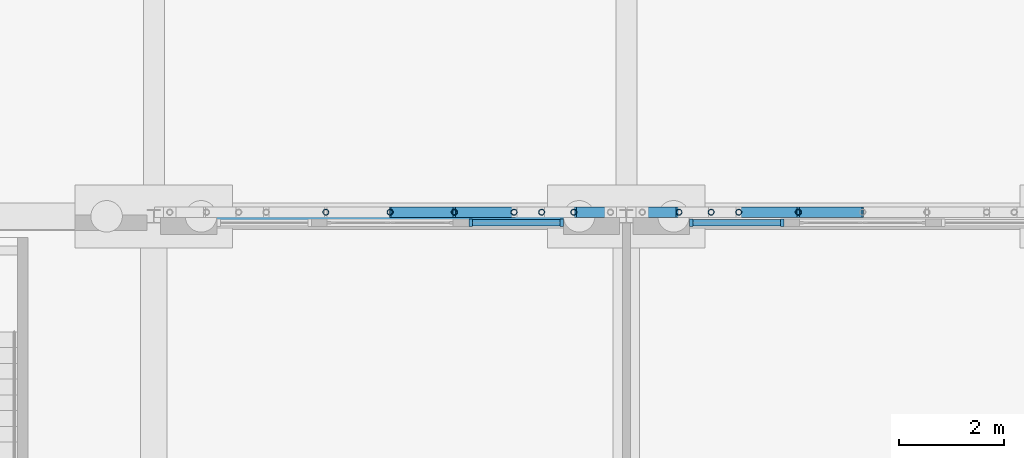
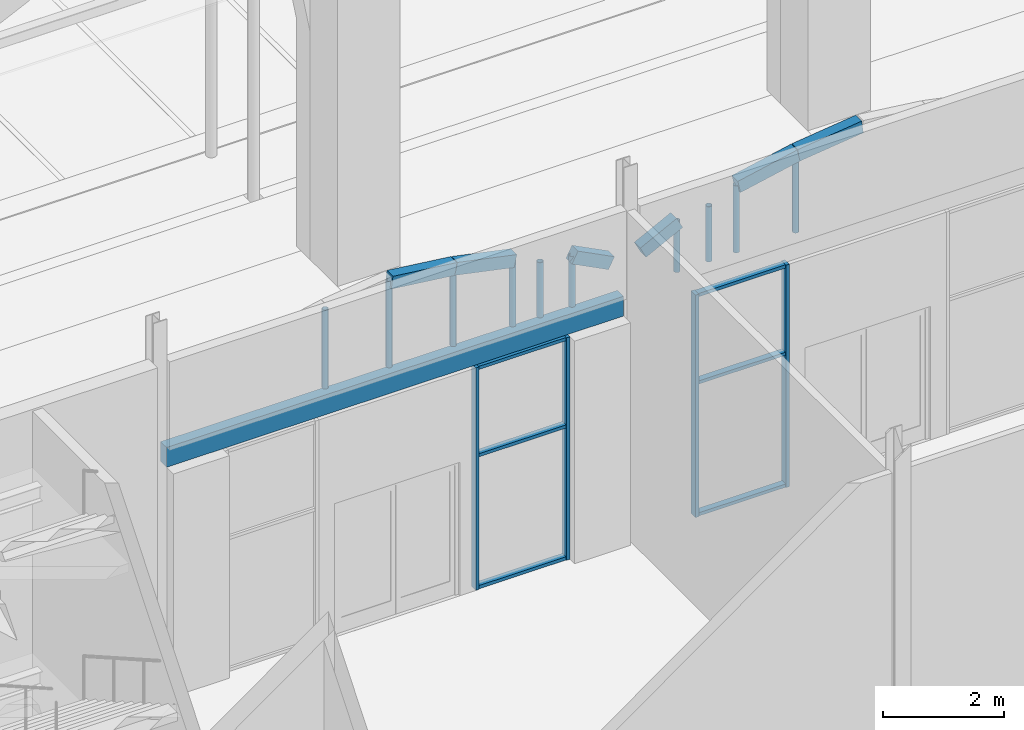
# One storey, part 57 of 250: 20 members, 7 beams, 2 elements without a shape of their own.
"""IFC4 building model written with IfcOpenShell, lengths in metres."""

from ifc_helpers import new_model, si_unit, direction, frame, origin, origin_2d, place, context, subcontext, project, spatial, rectangle, hollow_circle, extrude, material, material_profile, profile_set, type_object, element, aggregate, save


model = new_model("IFC4")

# Units and contexts
model_context = context("Model", 3, precision=1e-05, world=origin(), true_north=direction((0.0, 1.0)))
body_context = subcontext(model_context, "Body", "Model", "MODEL_VIEW")
ifc_project = project(units=[si_unit("LENGTHUNIT", "METRE"), si_unit("AREAUNIT", "SQUARE_METRE"), si_unit("VOLUMEUNIT", "CUBIC_METRE"), si_unit("PLANEANGLEUNIT", "RADIAN"), si_unit("MASSUNIT", "GRAM", prefix="KILO")], contexts=[model_context])

# Site, building, storey
site_placement = place(None, origin())
site = spatial("IfcSite", under=ifc_project, at=site_placement, CompositionType="ELEMENT")
building_placement = place(site_placement, origin())
building = spatial("IfcBuilding", under=site, at=building_placement, Name="Baradari Gate Terminus", CompositionType="ELEMENT")
storey_placement = place(building_placement, origin())
storey = spatial("IfcBuildingStorey", under=building, at=storey_placement, Name="L00", CompositionType="ELEMENT", Elevation=0.0)

# Members
ifc_material_1 = material(Name="Steel S355", Category="steel")
ifc_material_profile_1 = material_profile(ifc_material_1, hollow_circle(Radius=0.05712890625, WallThickness=0.00634765625, at=origin_2d()), Name="CHS 114.3x6.3")
ifc_profile_set_1 = profile_set([ifc_material_profile_1], Name="Steel S355")
member_type_1 = type_object("IfcMemberType", Name="Arcade arch post SP-2 114x6.3", PredefinedType="POST", material=ifc_profile_set_1)
member_1_placement = place(storey_placement, frame((192.27587890625, 108.07861328125, 4.89990234375), z_axis=(0.0, 0.0, 1.0), x_axis=(1.0, 0.0, 0.0)))
element("IfcMember", 1, at=member_1_placement, inside=storey, type_object=member_type_1, Name="Arcade arch post 21.6", PredefinedType="POST", context=body_context, shape_type="SweptSolid", body=[
    extrude(hollow_circle(Radius=0.05712890625, WallThickness=0.00634765625, at=origin_2d()), origin(), (0.0, 0.0, 1.0), 1.593017578125),
])
member_2_placement = place(storey_placement, frame((193.5, 108.07861328125, 4.89990234375), z_axis=(0.0, 0.0, 1.0), x_axis=(1.0, 0.0, 0.0)))
element("IfcMember", 2, at=member_2_placement, inside=storey, type_object=member_type_1, Name="Arcade arch post 21.7", PredefinedType="POST", context=body_context, shape_type="SweptSolid", body=[
    extrude(hollow_circle(Radius=0.05712890625, WallThickness=0.00634765625, at=origin_2d()), origin(), (0.0, 0.0, 1.0), 1.7421875),
])
member_3_placement = place(storey_placement, frame((194.72412109375, 108.07861328125, 4.89990234375), z_axis=(0.0, 0.0, 1.0), x_axis=(1.0, 0.0, 0.0)))
element("IfcMember", 3, at=member_3_placement, inside=storey, type_object=member_type_1, Name="Arcade arch post 21.8", PredefinedType="POST", context=body_context, shape_type="SweptSolid", body=[
    extrude(hollow_circle(Radius=0.05712890625, WallThickness=0.00634765625, at=origin_2d()), origin(), (0.0, 0.0, 1.0), 1.593017578125),
])
member_4_placement = place(storey_placement, frame((195.86083984375, 108.07861328125, 4.89990234375), z_axis=(0.0, 0.0, 1.0), x_axis=(1.0, 0.0, 0.0)))
element("IfcMember", 4, at=member_4_placement, inside=storey, type_object=member_type_1, Name="Arcade arch post 21.9", PredefinedType="POST", context=body_context, shape_type="SweptSolid", body=[
    extrude(hollow_circle(Radius=0.05712890625, WallThickness=0.00634765625, at=origin_2d()), origin(), (0.0, 0.0, 1.0), 1.354248046875),
])
member_5_placement = place(storey_placement, frame((196.385498046875, 108.07861328125, 4.89990234375), z_axis=(0.0, 0.0, 1.0), x_axis=(1.0, 0.0, 0.0)))
element("IfcMember", 5, at=member_5_placement, inside=storey, type_object=member_type_1, Name="Arcade arch post 21.10", PredefinedType="POST", context=body_context, shape_type="SweptSolid", body=[
    extrude(hollow_circle(Radius=0.05712890625, WallThickness=0.00634765625, at=origin_2d()), origin(), (0.0, 0.0, 1.0), 1.115478515625),
])
for number, where, z_axis, x_axis, name in (
    (6, (196.99755859375, 108.07861328125, 4.89990234375), (0.0, 0.0, 1.0), (1.0, 0.0, 0.0), "Arcade arch post 21.11"),
    (7, (199.00244140625, 108.07861328125, 4.89990234375), (0.0, 0.0, 1.0), (1.0, 0.0, 0.0), "Arcade arch post 22.3"),
):
    element("IfcMember", number, at=place(storey_placement, frame(where, z_axis=z_axis, x_axis=x_axis)), inside=storey, type_object=member_type_1, Name=name, PredefinedType="POST", context=body_context, shape_type="SweptSolid", body=[
        extrude(hollow_circle(Radius=0.05712890625, WallThickness=0.00634765625, at=origin_2d()), origin(), (0.0, 0.0, 1.0), 1.02587890625),
    ])
member_6_placement = place(storey_placement, frame((199.614501953125, 108.07861328125, 4.89990234375), z_axis=(0.0, 0.0, 1.0), x_axis=(1.0, 0.0, 0.0)))
element("IfcMember", 8, at=member_6_placement, inside=storey, type_object=member_type_1, Name="Arcade arch post 22.4", PredefinedType="POST", context=body_context, shape_type="SweptSolid", body=[
    extrude(hollow_circle(Radius=0.05712890625, WallThickness=0.00634765625, at=origin_2d()), origin(), (0.0, 0.0, 1.0), 1.115478515625),
])
member_7_placement = place(storey_placement, frame((200.13916015625, 108.07861328125, 4.89990234375), z_axis=(0.0, 0.0, 1.0), x_axis=(1.0, 0.0, 0.0)))
element("IfcMember", 9, at=member_7_placement, inside=storey, type_object=member_type_1, Name="Arcade arch post 22.5", PredefinedType="POST", context=body_context, shape_type="SweptSolid", body=[
    extrude(hollow_circle(Radius=0.05712890625, WallThickness=0.00634765625, at=origin_2d()), origin(), (0.0, 0.0, 1.0), 1.354248046875),
])
member_8_placement = place(storey_placement, frame((201.27587890625, 108.07861328125, 4.89990234375), z_axis=(0.0, 0.0, 1.0), x_axis=(1.0, 0.0, 0.0)))
element("IfcMember", 10, at=member_8_placement, inside=storey, type_object=member_type_1, Name="Arcade arch post 22.6", PredefinedType="POST", context=body_context, shape_type="SweptSolid", body=[
    extrude(hollow_circle(Radius=0.05712890625, WallThickness=0.00634765625, at=origin_2d()), origin(), (0.0, 0.0, 1.0), 1.593017578125),
])

# Beams
ifc_material_2 = material(Name="Concrete C40/50 precast", Category="concrete")
ifc_material_profile_2 = material_profile(ifc_material_2, rectangle(XDim=0.199951171875, YDim=0.25, at=origin_2d()), Name="AB-1 200X250")
ifc_profile_set_2 = profile_set([ifc_material_profile_2], Name="Concrete C40/50 precast")
beam_type_1 = type_object("IfcBeamType", Name="Arcade arch segment AB-1 200x250", PredefinedType="BEAM", material=ifc_profile_set_2)
beam_1_placement = place(storey_placement, frame((193.5, 108.07861328125, 6.64208984375), z_axis=(0.992656897947, 0.0, -0.120963973802), x_axis=(0.0, 1.0, 0.0)))
element("IfcBeam", 11, at=beam_1_placement, inside=storey, type_object=beam_type_1, Name="Arcade arch AB-1 bay 21 segment 7", PredefinedType="BEAM", context=body_context, shape_type="SweptSolid", body=[
    extrude(rectangle(XDim=0.199951171875, YDim=0.25, at=origin_2d()), origin(), (0.0, 0.0, 1.0), 1.233154296875),
])
beam_2_placement = place(storey_placement, frame((194.72412109375, 108.07861328125, 6.492919921875), z_axis=(0.978643349291, 0.0, -0.205565548885), x_axis=(0.0, 1.0, 0.0)))
element("IfcBeam", 12, at=beam_2_placement, inside=storey, type_object=beam_type_1, Name="Arcade arch AB-1 bay 21 segment 8", PredefinedType="BEAM", context=body_context, shape_type="SweptSolid", body=[
    extrude(rectangle(XDim=0.199951171875, YDim=0.25, at=origin_2d()), origin(), (0.0, 0.0, 1.0), 1.16162109375),
])
for number, where, z_axis, x_axis, name in (
    (13, (196.99755859375, 108.07861328125, 5.92578125), (0.89022472097, 0.0, -0.455521619875), (0.0, 1.0, 0.0), "Arcade arch AB-1 bay 21 segment 11"),
    (14, (198.302978515625, 108.07861328125, 5.56787109375), (0.89022472097, 0.0, 0.455521619875), (0.0, 1.0, 0.0), "Arcade arch AB-1 bay 22 segment 2"),
):
    element("IfcBeam", number, at=place(storey_placement, frame(where, z_axis=z_axis, x_axis=x_axis)), inside=storey, type_object=beam_type_1, Name=name, PredefinedType="BEAM", context=body_context, shape_type="SweptSolid", body=[
        extrude(rectangle(XDim=0.199951171875, YDim=0.25, at=origin_2d()), origin(), (0.0, 0.0, 1.0), 0.78564453125),
    ])
beam_3_placement = place(storey_placement, frame((200.13916015625, 108.07861328125, 6.254150390625), z_axis=(0.978643349291, 0.0, 0.205565548885), x_axis=(0.0, 1.0, 0.0)))
element("IfcBeam", 15, at=beam_3_placement, inside=storey, type_object=beam_type_1, Name="Arcade arch AB-1 bay 22 segment 5", PredefinedType="BEAM", context=body_context, shape_type="SweptSolid", body=[
    extrude(rectangle(XDim=0.199951171875, YDim=0.25, at=origin_2d()), origin(), (0.0, 0.0, 1.0), 1.16162109375),
])
beam_4_placement = place(storey_placement, frame((201.27587890625, 108.07861328125, 6.492919921875), z_axis=(0.992656897947, 0.0, 0.120963973802), x_axis=(0.0, 1.0, 0.0)))
element("IfcBeam", 16, at=beam_4_placement, inside=storey, type_object=beam_type_1, Name="Arcade arch AB-1 bay 22 segment 6", PredefinedType="BEAM", context=body_context, shape_type="SweptSolid", body=[
    extrude(rectangle(XDim=0.199951171875, YDim=0.25, at=origin_2d()), origin(), (0.0, 0.0, 1.0), 1.233154296875),
])
ifc_material_3 = material(Name="Concrete C50/60 precast", Category="concrete")
ifc_material_profile_3 = material_profile(ifc_material_3, rectangle(XDim=0.199951171875, YDim=0.39990234375, at=origin_2d()), Name="LB-1 200X400")
ifc_profile_set_3 = profile_set([ifc_material_profile_3], Name="Concrete C50/60 precast")
beam_type_2 = type_object("IfcBeamType", Name="Arcade lintel LB-1 200x400", PredefinedType="LINTEL", material=ifc_profile_set_3)
beam_5_placement = place(storey_placement, frame((189.128173828125, 107.978515625, 4.699951171875), z_axis=(1.0, 0.0, 0.0), x_axis=(0.0, 1.0, 0.0)))
element("IfcBeam", 17, at=beam_5_placement, inside=storey, type_object=beam_type_2, Name="Arcade lintel LB-1 bay 21", PredefinedType="LINTEL", context=body_context, shape_type="SweptSolid", body=[
    extrude(rectangle(XDim=0.199951171875, YDim=0.39990234375, at=origin_2d()), origin(), (0.0, 0.0, 1.0), 8.74365234375),
])

# Curtain wall, members
ifc_material_4 = material(Name="Aluminium 6063-T6", Category="aluminium")
curtain_wall_type = type_object("IfcCurtainWallType", Name="Curtain wall CW-2 shopfront", PredefinedType="NOTDEFINED", material=ifc_material_4)
curtain_wall_1_placement = place(storey_placement, origin())
curtain_wall_1 = element("IfcCurtainWall", 18, at=curtain_wall_1_placement, inside=storey, type_object=curtain_wall_type, Name="Shopfront curtain wall CW-2 HN bay 21 L00", PredefinedType="NOTDEFINED")
ifc_material_5 = material(Name="Aluminium 6063-T6", Category="aluminium")
ifc_material_profile_4 = material_profile(ifc_material_5, rectangle(XDim=0.14990234375, YDim=0.06494140625, at=origin_2d()), Name="CM-2 65X150")
ifc_profile_set_4 = profile_set([ifc_material_profile_4], Name="Aluminium 6063-T6")
member_type_2 = type_object("IfcMemberType", Name="Curtain wall mullion CM-2 65x150", PredefinedType="MULLION", material=ifc_profile_set_4)
member_9_placement = place(storey_placement, frame((195.032470703125, 107.87841796875, 0.0), z_axis=(0.0, 0.0, 1.0), x_axis=(0.0, 1.0, 0.0)))
member_9 = element("IfcMember", 19, at=member_9_placement, type_object=member_type_2, Name="CW-2 mullion 1", PredefinedType="MULLION", context=body_context, shape_type="SweptSolid", body=[
    extrude(rectangle(XDim=0.14990234375, YDim=0.06494140625, at=origin_2d()), origin(), (0.0, 0.0, 1.0), 4.5),
])
member_10_placement = place(storey_placement, frame((196.767578125, 107.87841796875, 0.0), z_axis=(0.0, 0.0, 1.0), x_axis=(0.0, 1.0, 0.0)))
member_10 = element("IfcMember", 20, at=member_10_placement, type_object=member_type_2, Name="CW-2 mullion 2", PredefinedType="MULLION", context=body_context, shape_type="SweptSolid", body=[
    extrude(rectangle(XDim=0.14990234375, YDim=0.06494140625, at=origin_2d()), origin(), (0.0, 0.0, 1.0), 4.5),
])

curtain_wall_2_placement = place(storey_placement, origin())
curtain_wall_2 = element("IfcCurtainWall", 21, at=curtain_wall_2_placement, inside=storey, type_object=curtain_wall_type, Name="Shopfront curtain wall CW-2 HN bay 22 L00", PredefinedType="NOTDEFINED")
member_11_placement = place(storey_placement, frame((199.232421875, 107.87841796875, 0.0), z_axis=(0.0, 0.0, 1.0), x_axis=(0.0, 1.0, 0.0)))
member_11 = element("IfcMember", 22, at=member_11_placement, type_object=member_type_2, Name="CW-2 mullion 1", PredefinedType="MULLION", context=body_context, shape_type="SweptSolid", body=[
    extrude(rectangle(XDim=0.14990234375, YDim=0.06494140625, at=origin_2d()), origin(), (0.0, 0.0, 1.0), 4.5),
])
member_12_placement = place(storey_placement, frame((200.967529296875, 107.87841796875, 0.0), z_axis=(0.0, 0.0, 1.0), x_axis=(0.0, 1.0, 0.0)))
member_12 = element("IfcMember", 23, at=member_12_placement, type_object=member_type_2, Name="CW-2 mullion 2", PredefinedType="MULLION", context=body_context, shape_type="SweptSolid", body=[
    extrude(rectangle(XDim=0.14990234375, YDim=0.06494140625, at=origin_2d()), origin(), (0.0, 0.0, 1.0), 4.5),
])

# Member
ifc_material_6 = material(Name="Aluminium 6063-T6", Category="aluminium")
ifc_material_profile_5 = material_profile(ifc_material_6, rectangle(XDim=0.1201171875, YDim=0.06494140625, at=origin_2d()), Name="CT-2 65X120")
ifc_profile_set_5 = profile_set([ifc_material_profile_5], Name="Aluminium 6063-T6")
member_type_3 = type_object("IfcMemberType", Name="Curtain wall transom CT-2 65x120", PredefinedType="USERDEFINED", material=ifc_profile_set_5)
member_13_placement = place(storey_placement, frame((195.06494140625, 107.87841796875, 0.032470703125), z_axis=(1.0, 0.0, 0.0), x_axis=(0.0, 1.0, 0.0)))
member_13 = element("IfcMember", 24, at=member_13_placement, type_object=member_type_3, Name="CW-2 transom 1.1", ObjectType="TRANSOM", PredefinedType="USERDEFINED", context=body_context, shape_type="SweptSolid", body=[
    extrude(rectangle(XDim=0.1201171875, YDim=0.06494140625, at=origin_2d()), origin(), (0.0, 0.0, 1.0), 1.670166015625),
])

member_14_placement = place(storey_placement, frame((195.06494140625, 107.87841796875, 2.699951171875), z_axis=(1.0, 0.0, 0.0), x_axis=(0.0, 1.0, 0.0)))
member_14 = element("IfcMember", 25, at=member_14_placement, type_object=member_type_3, Name="CW-2 transom 1.2", ObjectType="TRANSOM", PredefinedType="USERDEFINED", context=body_context, shape_type="SweptSolid", body=[
    extrude(rectangle(XDim=0.1201171875, YDim=0.06494140625, at=origin_2d()), origin(), (0.0, 0.0, 1.0), 1.670166015625),
])

member_15_placement = place(storey_placement, frame((195.06494140625, 107.87841796875, 4.467529296875), z_axis=(1.0, 0.0, 0.0), x_axis=(0.0, 1.0, 0.0)))
member_15 = element("IfcMember", 26, at=member_15_placement, type_object=member_type_3, Name="CW-2 transom 1.3", ObjectType="TRANSOM", PredefinedType="USERDEFINED", context=body_context, shape_type="SweptSolid", body=[
    extrude(rectangle(XDim=0.1201171875, YDim=0.06494140625, at=origin_2d()), origin(), (0.0, 0.0, 1.0), 1.670166015625),
])

aggregate(curtain_wall_1, [member_9, member_10, member_13, member_14, member_15])

member_16_placement = place(storey_placement, frame((199.264892578125, 107.87841796875, 0.032470703125), z_axis=(1.0, 0.0, 0.0), x_axis=(0.0, 1.0, 0.0)))
member_16 = element("IfcMember", 27, at=member_16_placement, type_object=member_type_3, Name="CW-2 transom 1.1", ObjectType="TRANSOM", PredefinedType="USERDEFINED", context=body_context, shape_type="SweptSolid", body=[
    extrude(rectangle(XDim=0.1201171875, YDim=0.06494140625, at=origin_2d()), origin(), (0.0, 0.0, 1.0), 1.670166015625),
])

member_17_placement = place(storey_placement, frame((199.264892578125, 107.87841796875, 2.699951171875), z_axis=(1.0, 0.0, 0.0), x_axis=(0.0, 1.0, 0.0)))
member_17 = element("IfcMember", 28, at=member_17_placement, type_object=member_type_3, Name="CW-2 transom 1.2", ObjectType="TRANSOM", PredefinedType="USERDEFINED", context=body_context, shape_type="SweptSolid", body=[
    extrude(rectangle(XDim=0.1201171875, YDim=0.06494140625, at=origin_2d()), origin(), (0.0, 0.0, 1.0), 1.670166015625),
])

member_18_placement = place(storey_placement, frame((199.264892578125, 107.87841796875, 4.467529296875), z_axis=(1.0, 0.0, 0.0), x_axis=(0.0, 1.0, 0.0)))
member_18 = element("IfcMember", 29, at=member_18_placement, type_object=member_type_3, Name="CW-2 transom 1.3", ObjectType="TRANSOM", PredefinedType="USERDEFINED", context=body_context, shape_type="SweptSolid", body=[
    extrude(rectangle(XDim=0.1201171875, YDim=0.06494140625, at=origin_2d()), origin(), (0.0, 0.0, 1.0), 1.670166015625),
])

aggregate(curtain_wall_2, [member_11, member_12, member_16, member_17, member_18])

save(model, "model.ifc")
